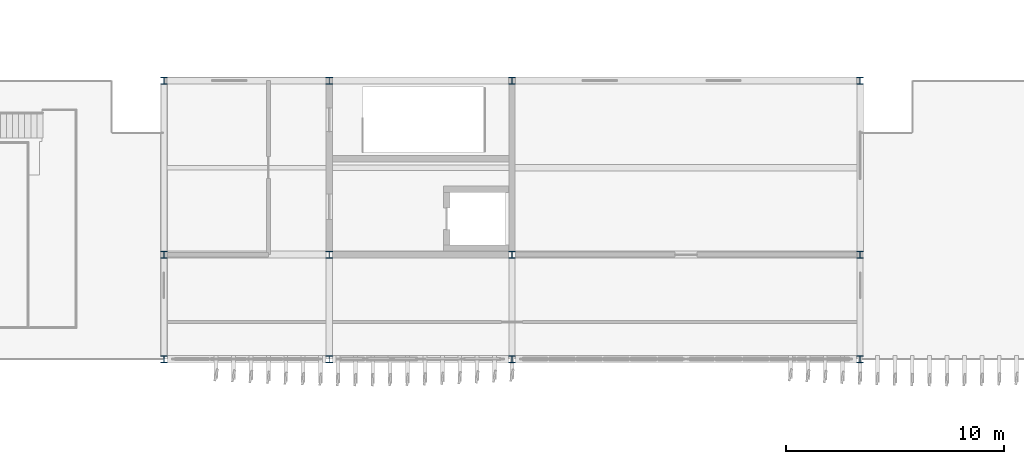
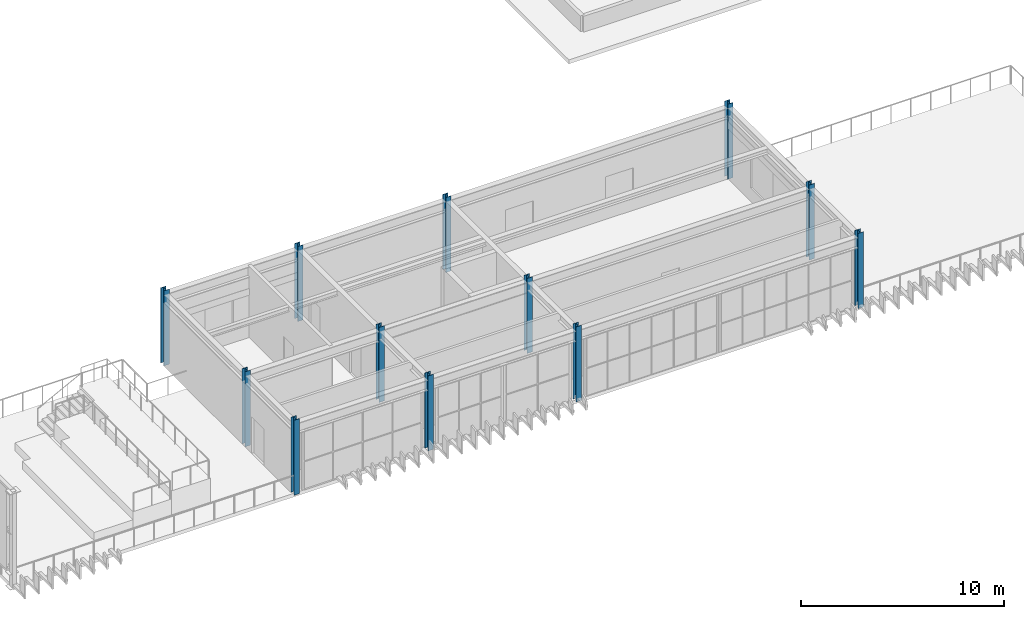
# One storey, part 2 of 45: 12 columns.
"""IFC4 building model written with IfcOpenShell, lengths in metres."""

from ifc_helpers import new_model, si_unit, direction, frame, origin, origin_2d, place, context, subcontext, project, spatial, i_section, extrude, material, material_profile, profile_set, type_object, element, save


model = new_model("IFC4")

# Units and contexts
model_context = context("Model", 3, precision=1e-05, world=origin(), true_north=direction((0.0, 1.0)))
body_context = subcontext(model_context, "Body", "Model", "MODEL_VIEW")
ifc_project = project(units=[si_unit("LENGTHUNIT", "METRE"), si_unit("AREAUNIT", "SQUARE_METRE"), si_unit("VOLUMEUNIT", "CUBIC_METRE"), si_unit("PLANEANGLEUNIT", "RADIAN"), si_unit("MASSUNIT", "GRAM", prefix="KILO")], contexts=[model_context])

# Site, building, storey
site_placement = place(None, origin())
site = spatial("IfcSite", under=ifc_project, at=site_placement, CompositionType="ELEMENT")
building_placement = place(site_placement, origin())
building = spatial("IfcBuilding", under=site, at=building_placement, Name="Cinchona Park Media Centre", CompositionType="ELEMENT")
storey_placement = place(building_placement, frame((0.0, 0.0, 20.39990234375)))
storey = spatial("IfcBuildingStorey", under=building, at=storey_placement, Name="L04", CompositionType="ELEMENT", Elevation=20.39990234375)

# Columns
ifc_material = material(Name="Steel S355", Category="steel")
ifc_material_profile = material_profile(ifc_material, i_section(OverallWidth=0.30908203125, OverallDepth=0.320556640625, WebThickness=0.013916015625, FlangeThickness=0.021728515625, at=origin_2d()), Name="UC305X305X137")
ifc_profile_set = profile_set([ifc_material_profile], Name="Steel S355")
column_type = type_object("IfcColumnType", Name="COL-C07-UC305X305X137", PredefinedType="COLUMN", material=ifc_profile_set)
for number, where, z_axis, x_axis, name in (
    (1, (78.800048828125, 74.800048828125, 0.0), (0.0, 0.0, 1.0), (1.0, 0.0, 0.0), "Column C07 L04"),
    (2, (78.800048828125, 79.60009765625, 0.0), (0.0, 0.0, 1.0), (1.0, 0.0, 0.0), "Column C07 L04"),
    (3, (78.800048828125, 87.60009765625, 0.0), (0.0, 0.0, 1.0), (1.0, 0.0, 0.0), "Column C07 L04"),
    (4, (86.39990234375, 74.800048828125, 0.0), (0.0, 0.0, 1.0), (1.0, 0.0, 0.0), "Column C07 L04"),
    (5, (86.39990234375, 79.60009765625, 0.0), (0.0, 0.0, 1.0), (1.0, 0.0, 0.0), "Column C07 L04"),
    (6, (86.39990234375, 87.60009765625, 0.0), (0.0, 0.0, 1.0), (1.0, 0.0, 0.0), "Column C07 L04"),
    (7, (94.800048828125, 74.800048828125, 0.0), (0.0, 0.0, 1.0), (1.0, 0.0, 0.0), "Column C07 L04"),
    (8, (94.800048828125, 79.60009765625, 0.0), (0.0, 0.0, 1.0), (1.0, 0.0, 0.0), "Column C07 L04"),
    (9, (94.800048828125, 87.60009765625, 0.0), (0.0, 0.0, 1.0), (1.0, 0.0, 0.0), "Column C07 L04"),
    (10, (110.800048828125, 74.800048828125, 0.0), (0.0, 0.0, 1.0), (1.0, 0.0, 0.0), "Column C07 L04"),
    (11, (110.800048828125, 79.60009765625, 0.0), (0.0, 0.0, 1.0), (1.0, 0.0, 0.0), "Column C07 L04"),
    (12, (110.800048828125, 87.60009765625, 0.0), (0.0, 0.0, 1.0), (1.0, 0.0, 0.0), "Column C07 L04"),
):
    element("IfcColumn", number, at=place(storey_placement, frame(where, z_axis=z_axis, x_axis=x_axis)), inside=storey, type_object=column_type, Name=name, PredefinedType="COLUMN", context=body_context, shape_type="SweptSolid", body=[
        extrude(i_section(OverallWidth=0.30908203125, OverallDepth=0.320556640625, WebThickness=0.013916015625, FlangeThickness=0.021728515625, at=origin_2d()), origin(), (0.0, 0.0, 1.0), 4.5),
    ])

save(model, "model.ifc")
